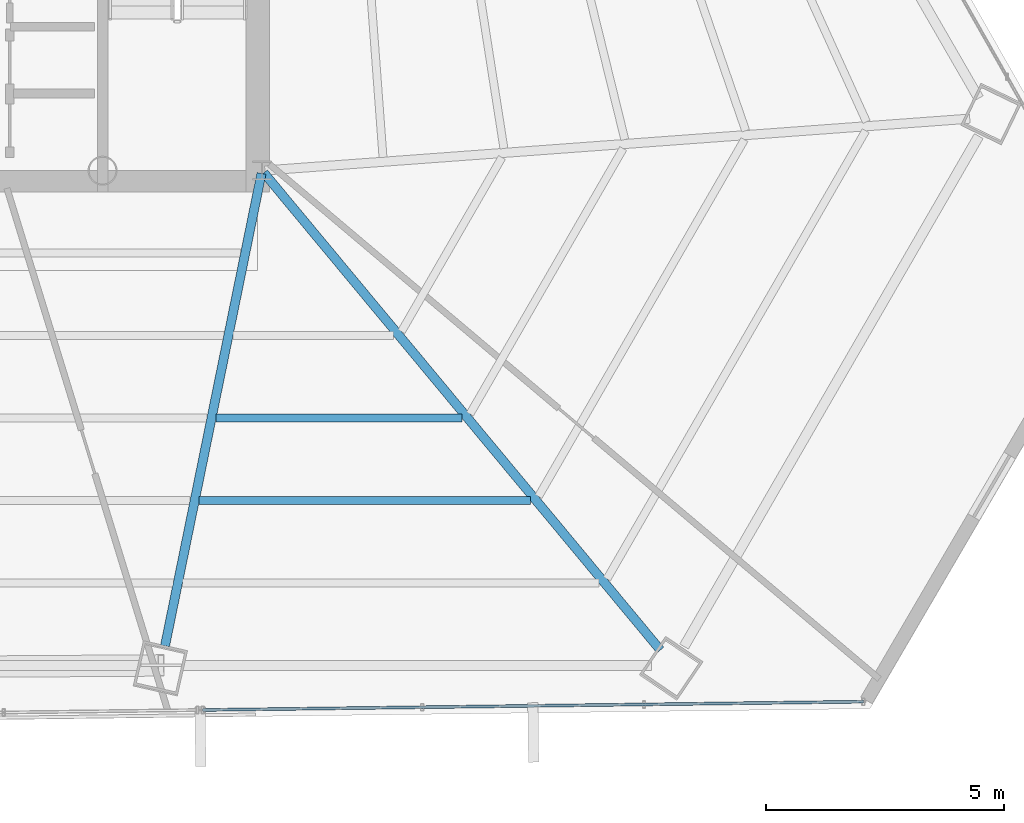
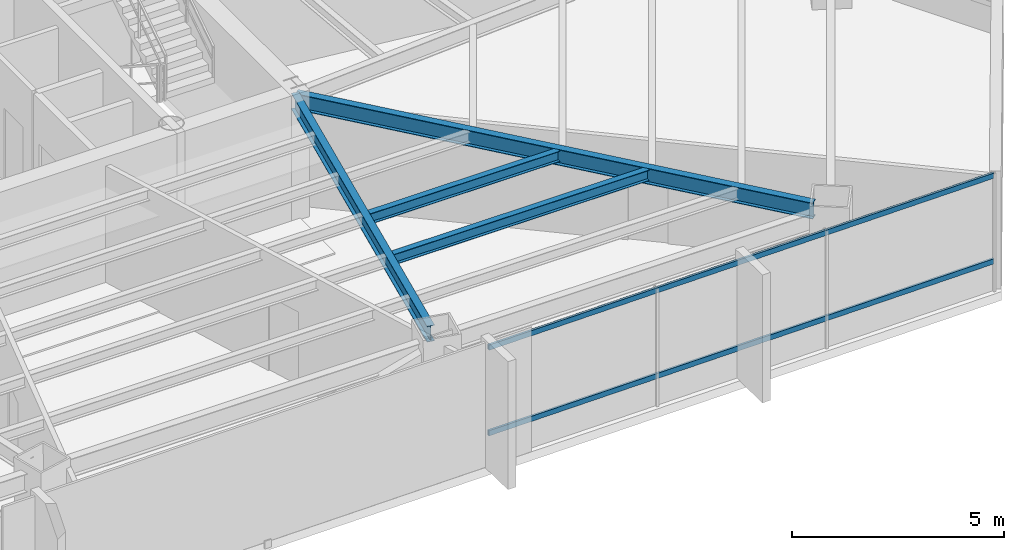
# One storey, part 18 of 41: 4 beams, 2 members, 1 element without a shape of its own.
"""IFC4 building model written with IfcOpenShell, lengths in metres."""

from ifc_helpers import new_model, si_unit, direction, frame, origin, origin_2d, place, context, subcontext, project, spatial, hollow_rectangle, i_section, extrude, source, transform, mapped, material, material_profile, profile_set, type_object, type_shapes, element, aggregate, save


model = new_model("IFC4")

# Units and contexts
model_context = context("Model", 3, precision=1e-05, world=origin(), true_north=direction((0.0, 1.0)))
body_context = subcontext(model_context, "Body", "Model", "MODEL_VIEW")
ifc_project = project(units=[si_unit("LENGTHUNIT", "METRE"), si_unit("AREAUNIT", "SQUARE_METRE"), si_unit("VOLUMEUNIT", "CUBIC_METRE"), si_unit("PLANEANGLEUNIT", "RADIAN"), si_unit("MASSUNIT", "GRAM", prefix="KILO")], contexts=[model_context])

# Site, building, storey
site_placement = place(None, origin())
site = spatial("IfcSite", under=ifc_project, at=site_placement, CompositionType="ELEMENT")
building_placement = place(site_placement, origin())
building = spatial("IfcBuilding", under=site, at=building_placement, Name="Caelisora Broadcast Tower", CompositionType="ELEMENT")
storey_placement = place(building_placement, frame((0.0, 0.0, 135.449951171875)))
storey = spatial("IfcBuildingStorey", under=building, at=storey_placement, Name="L35", CompositionType="ELEMENT", Elevation=135.449951171875)

# Beams
ifc_material_1 = material(Name="Steel Grade 350 (AS/NZS 3679.1)", Category="steel")
ifc_material_profile_1 = material_profile(ifc_material_1, i_section(OverallWidth=0.19091796875, OverallDepth=0.46044921875, WebThickness=0.010009765625, FlangeThickness=0.01611328125, at=origin_2d()), Name="Steel Grade 350 (AS/NZS 3679.1)")
ifc_profile_set_1 = profile_set([ifc_material_profile_1], Name="Steel Grade 350 (AS/NZS 3679.1)")
beam_type_1 = type_object("IfcBeamType", Name="PG06", PredefinedType="BEAM", material=ifc_profile_set_1)
shared_shape_1 = source(origin(), body_context, "Body", "SweptSolid", [
    extrude(i_section(OverallWidth=0.19091796875, OverallDepth=0.46044921875, WebThickness=0.010009765625, FlangeThickness=0.01611328125, at=origin_2d()), origin(), (0.0, 0.0, 1.0), 13.0302734375),
])
beam_1_placement = place(storey_placement, frame((45.538330078125, 17.35400390625, 3.169921875), z_axis=(0.639055849194, -0.769160335438, 0.0), x_axis=(0.769160335438, 0.639055849194, 0.0)))
element("IfcBeam", 1, at=beam_1_placement, inside=storey, type_object=beam_type_1, Name="L35 beam PG06", PredefinedType="BEAM", context=body_context, shape_type="MappedRepresentation", body=[
    mapped(shared_shape_1, transform((0.0, 0.0, 0.0), scale=1.0)),
])
shared_shape_2 = source(origin(), body_context, "Body", "SweptSolid", [
    extrude(i_section(OverallWidth=0.19091796875, OverallDepth=0.46044921875, WebThickness=0.010009765625, FlangeThickness=0.01611328125, at=origin_2d()), origin(), (0.0, 0.0, 1.0), 10.126220703125),
])
type_shapes(beam_type_1, [shared_shape_1, shared_shape_2])
beam_2_placement = place(storey_placement, frame((45.488037109375, 17.34130859375, 3.169921875), z_axis=(-0.200088021205, -0.979777925741, 0.0), x_axis=(0.979777925741, -0.200088021205, 0.0)))
element("IfcBeam", 2, at=beam_2_placement, inside=storey, type_object=beam_type_1, Name="L35 beam PG06", PredefinedType="BEAM", context=body_context, shape_type="MappedRepresentation", body=[
    mapped(shared_shape_2, transform((0.0, 0.0, 0.0), scale=1.0)),
])
ifc_material_profile_2 = material_profile(ifc_material_1, i_section(OverallWidth=0.166015625, OverallDepth=0.30712890625, WebThickness=0.006591796875, FlangeThickness=0.01171875, at=origin_2d()), Name="Steel Grade 350 (AS/NZS 3679.1)")
ifc_profile_set_2 = profile_set([ifc_material_profile_2], Name="Steel Grade 350 (AS/NZS 3679.1)")
beam_type_2 = type_object("IfcBeamType", Name="SB03", PredefinedType="JOIST", material=ifc_profile_set_2)
shared_shape_3 = source(origin(), body_context, "Body", "SweptSolid", [
    extrude(i_section(OverallWidth=0.166015625, OverallDepth=0.30712890625, WebThickness=0.006591796875, FlangeThickness=0.01171875, at=origin_2d()), origin(), (0.0, 0.0, 1.0), 5.162353515625),
])
beam_3_placement = place(storey_placement, frame((44.533447265625, 12.2041015625, 3.246337890625), z_axis=(1.0, 0.0, 0.0), x_axis=(0.0, 1.0, 0.0)))
element("IfcBeam", 3, at=beam_3_placement, inside=storey, type_object=beam_type_2, Name="L35 beam SB03", PredefinedType="JOIST", context=body_context, shape_type="MappedRepresentation", body=[
    mapped(shared_shape_3, transform((0.0, 0.0, 0.0), scale=1.0)),
])
shared_shape_4 = source(origin(), body_context, "Body", "SweptSolid", [
    extrude(i_section(OverallWidth=0.166015625, OverallDepth=0.30712890625, WebThickness=0.006591796875, FlangeThickness=0.01171875, at=origin_2d()), origin(), (0.0, 0.0, 1.0), 6.955078125),
])
type_shapes(beam_type_2, [shared_shape_3, shared_shape_4])
beam_4_placement = place(storey_placement, frame((44.1796875, 10.472412109375, 3.246337890625), z_axis=(1.0, 0.0, 0.0), x_axis=(0.0, 1.0, 0.0)))
element("IfcBeam", 4, at=beam_4_placement, inside=storey, type_object=beam_type_2, Name="L35 beam SB03", PredefinedType="JOIST", context=body_context, shape_type="MappedRepresentation", body=[
    mapped(shared_shape_4, transform((0.0, 0.0, 0.0), scale=1.0)),
])

# Curtain wall, members
ifc_material_2 = material(Name="Unitised Aluminium and Low-E Glass Curtain Wall", Category="glass")
curtain_wall_type = type_object("IfcCurtainWallType", Name="CW-Z3", PredefinedType="NOTDEFINED", material=ifc_material_2)
curtain_wall_placement = place(storey_placement, origin())
curtain_wall = element("IfcCurtainWall", 5, at=curtain_wall_placement, inside=storey, type_object=curtain_wall_type, Name="L35 curtain wall CW-Z3", PredefinedType="NOTDEFINED")
ifc_material_3 = material(Name="Aluminium 6063-T6 Anodised Terracotta Bronze", Category="aluminium")
ifc_material_profile_3 = material_profile(ifc_material_3, hollow_rectangle(XDim=0.06005859375, YDim=0.14990234375, WallThickness=0.00341796875, at=origin_2d()), Name="Aluminium 6063-T6 Anodised Terracotta Bronze")
ifc_profile_set_3 = profile_set([ifc_material_profile_3], Name="Aluminium 6063-T6 Anodised Terracotta Bronze")
member_type = type_object("IfcMemberType", Name="CWT-02", PredefinedType="USERDEFINED", material=ifc_profile_set_3)
shared_shape_5 = source(origin(), body_context, "Body", "SweptSolid", [
    extrude(hollow_rectangle(XDim=0.06005859375, YDim=0.14990234375, WallThickness=0.00341796875, at=origin_2d()), origin(), (0.0, 0.0, 1.0), 13.87841796875),
])
type_shapes(member_type, [shared_shape_5])
member_1_placement = place(storey_placement, frame((58.1298828125, 6.247314453125, 0.85009765625), z_axis=(-0.999920673015, -0.012595541983, 0.0), x_axis=(0.012595541983, -0.999920673015, 0.0)))
member_1 = element("IfcMember", 6, at=member_1_placement, type_object=member_type, Name="L35-CW-B05 transom #1", ObjectType="TRANSOM", PredefinedType="USERDEFINED", context=body_context, shape_type="MappedRepresentation", body=[
    mapped(shared_shape_5, transform((0.0, 0.0, 0.0), scale=1.0)),
])
member_2_placement = place(storey_placement, frame((58.1298828125, 6.247314453125, 3.320068359375), z_axis=(-0.999920673015, -0.012595541983, 0.0), x_axis=(0.012595541983, -0.999920673015, 0.0)))
member_2 = element("IfcMember", 7, at=member_2_placement, type_object=member_type, Name="L35-CW-B05 transom #2", ObjectType="TRANSOM", PredefinedType="USERDEFINED", context=body_context, shape_type="MappedRepresentation", body=[
    mapped(shared_shape_5, transform((0.0, 0.0, 0.0), scale=1.0)),
])
aggregate(curtain_wall, [member_1, member_2])

save(model, "model.ifc")
